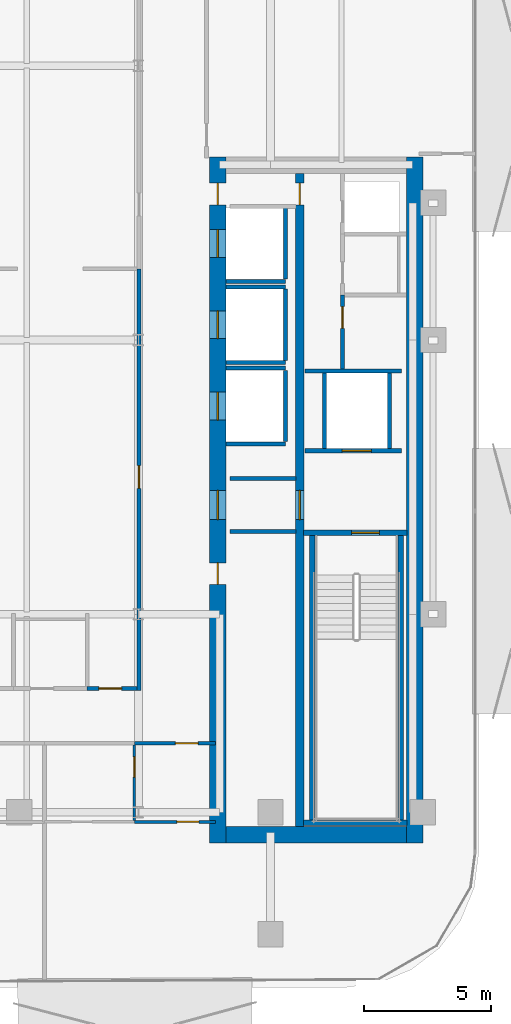
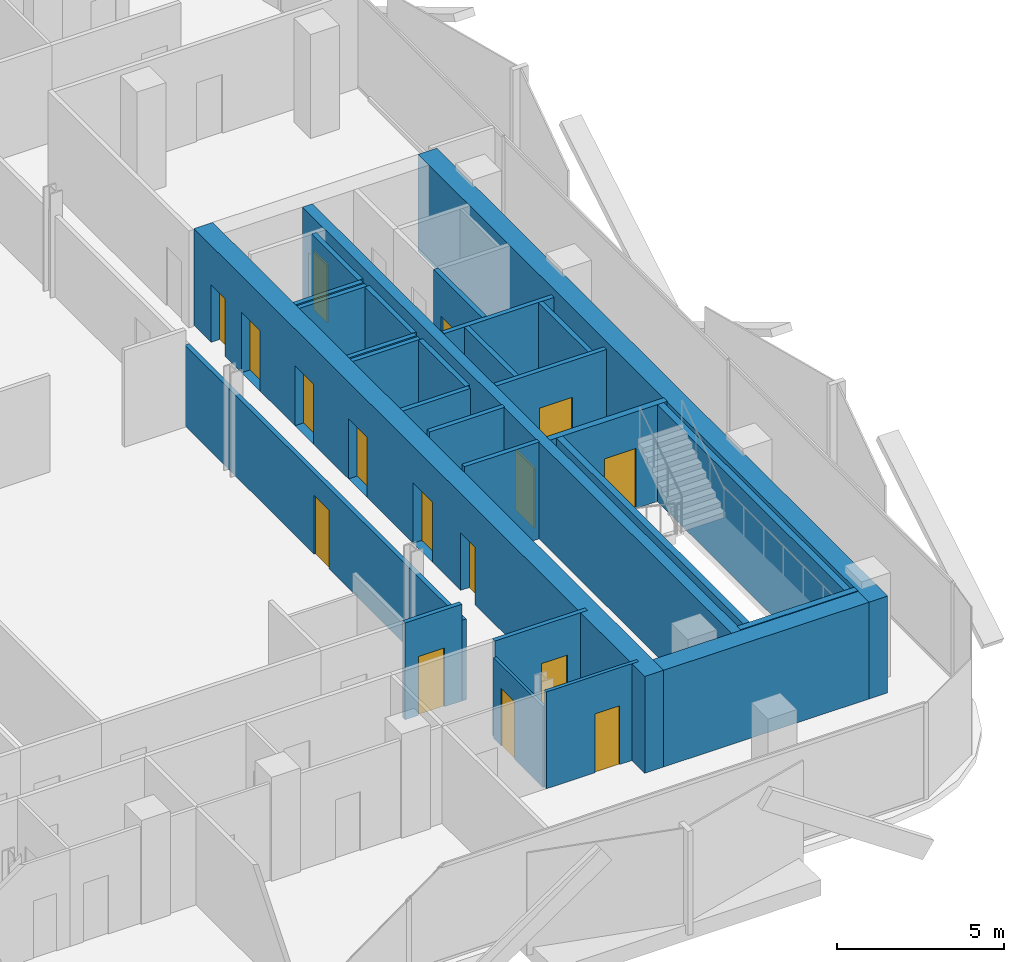
# One storey, part 5 of 17: 28 walls, 16 doors, 16 openings.
"""IFC4 building model written with IfcOpenShell, lengths in metres."""

from ifc_helpers import new_model, si_unit, direction, frame, frame_2d, origin, place, context, subcontext, project, spatial, rectangle, extrude, material, layer, layer_set, type_object, element, fill, save


model = new_model("IFC4")

# Units and contexts
model_context = context("Model", 3, precision=1e-05, world=origin(), true_north=direction((0.0, 1.0)))
body_context = subcontext(model_context, "Body", "Model", "MODEL_VIEW")
ifc_project = project(units=[si_unit("LENGTHUNIT", "METRE"), si_unit("AREAUNIT", "SQUARE_METRE"), si_unit("VOLUMEUNIT", "CUBIC_METRE"), si_unit("PLANEANGLEUNIT", "RADIAN"), si_unit("MASSUNIT", "GRAM", prefix="KILO")], contexts=[model_context])

# Site, building, storey
site_placement = place(None, origin())
site = spatial("IfcSite", under=ifc_project, at=site_placement, CompositionType="ELEMENT")
building_placement = place(site_placement, origin())
building = spatial("IfcBuilding", under=site, at=building_placement, Name="Khairoan Windgate Tower", CompositionType="ELEMENT")
storey_placement = place(building_placement, frame((0.0, 0.0, 195.39990234375)))
storey = spatial("IfcBuildingStorey", under=building, at=storey_placement, Name="L45", CompositionType="ELEMENT", Elevation=195.39990234375)

# Wall, opening, door
ifc_material_1 = material(Name="Moisture-Resistant Gypsum Partition", Category="gypsum")
ifc_layer_1 = layer(ifc_material_1, 0.10009765625, Name="Moisture-Resistant Gypsum Partition")
ifc_layer_set_1 = layer_set([ifc_layer_1], Name="Moisture-Resistant Gypsum Partition")
wall_type_1 = type_object("IfcWallType", Name="Bathroom Wet-Area Partition Wall", PredefinedType="PARTITIONING", material=ifc_layer_set_1)
wall_1_placement = place(storey_placement, frame((9.0400390625, -18.919921875, 0.0), z_axis=(0.0, 0.0, 1.0), x_axis=(0.0, 1.0, 0.0)))
wall_1 = element("IfcWall", 1, at=wall_1_placement, inside=storey, type_object=wall_type_1, Name="L45 Interior Partition 093", PredefinedType="PARTITIONING", context=body_context, shape_type="SweptSolid", body=[
    extrude(rectangle(XDim=2.96484375, YDim=0.10009765625, at=frame_2d((1.482421875, 0.0))), origin(), (0.0, 0.0, 1.0), 2.9521484375),
])
opening_1_placement = place(wall_1_placement, frame((1.705078125, 0.0, 0.0)))
opening_1 = element("IfcOpeningElement", 2, at=opening_1_placement, cuts=wall_1, Name="Opening ID-BTH", PredefinedType="OPENING", context=body_context, shape_type="SweptSolid", body=[
    extrude(rectangle(XDim=0.800048828125, YDim=2.10009765625, at=frame_2d((0.39990234375, 1.050048828125))), frame((0.0, 0.06005859375, 0.0), z_axis=(0.0, -1.0, 0.0), x_axis=(1.0, 0.0, 0.0)), (0.0, 0.0, 1.0), 0.1201171875),
])
ifc_material_2 = material(Name="Teak Veneer Timber Leaf", Category="wood")
door_type_1 = type_object("IfcDoorType", Name="Internal Bathroom Door ID-BTH 800x2100", OperationType="NOTDEFINED", PredefinedType="DOOR", material=ifc_material_2)
door_1_placement = place(opening_1_placement, origin())
door_1 = element("IfcDoor", 3, at=door_1_placement, inside=storey, type_object=door_type_1, Name="L45 L45-63-L45-64 Door", OperationType="SINGLE_SWING_LEFT", OverallHeight=2.10009765625, OverallWidth=0.800048828125, PredefinedType="DOOR", context=body_context, shape_type="SweptSolid", body=[
    extrude(rectangle(XDim=0.800048828125, YDim=2.10009765625, at=frame_2d((0.39990234375, 1.050048828125))), frame((0.0, 0.02490234375, 0.0), z_axis=(0.0, -1.0, 0.0), x_axis=(1.0, 0.0, 0.0)), (0.0, 0.0, 1.0), 0.050048828125),
])
fill(opening_1, door_1)

# Walls
ifc_material_3 = material(Name="Concrete C40/50", Category="concrete")
ifc_layer_2 = layer(ifc_material_3, 0.159912109375, Name="Concrete C40/50")
ifc_layer_set_2 = layer_set([ifc_layer_2], Name="Concrete C40/50")
wall_type_2 = type_object("IfcWallType", Name="Core and Hoistway Enclosure Wall", PredefinedType="STANDARD", material=ifc_layer_set_2)
wall_2_placement = place(storey_placement, frame((12.64990234375, 2.31005859375, 0.0), z_axis=(0.0, 0.0, 1.0), x_axis=(1.0, 0.0, 0.0)))
element("IfcWall", 4, at=wall_2_placement, inside=storey, type_object=wall_type_2, Name="L45 Lift PL7 Hoistway Divider S", PredefinedType="STANDARD", context=body_context, shape_type="SweptSolid", body=[
    extrude(rectangle(XDim=2.340087890625, YDim=0.159912109375, at=frame_2d((1.169921875, 0.0))), origin(), (0.0, 0.0, 1.0), 3.5400390625),
])
wall_3_placement = place(storey_placement, frame((14.989990234375, 2.39990234375, 0.0), z_axis=(0.0, 0.0, 1.0), x_axis=(0.0, 1.0, 0.0)))
element("IfcWall", 5, at=wall_3_placement, inside=storey, type_object=wall_type_2, Name="L45 Lift PL7 Hoistway Back Wall", PredefinedType="STANDARD", context=body_context, shape_type="SweptSolid", body=[
    extrude(rectangle(XDim=2.800048828125, YDim=0.159912109375, at=frame_2d((1.39990234375, 0.0))), origin(), (0.0, 0.0, 1.0), 3.5400390625),
])
for number, where, z_axis, x_axis, name in (
    (6, (12.64990234375, -0.889892578125, 0.0), (0.0, 0.0, 1.0), (1.0, 0.0, 0.0), "L45 Lift PL8 Hoistway Divider S"),
    (7, (12.64990234375, 2.090087890625, 0.0), (0.0, 0.0, 1.0), (1.0, 0.0, 0.0), "L45 Lift PL8 Hoistway Divider N"),
):
    element("IfcWall", number, at=place(storey_placement, frame(where, z_axis=z_axis, x_axis=x_axis)), inside=storey, type_object=wall_type_2, Name=name, PredefinedType="STANDARD", context=body_context, shape_type="SweptSolid", body=[
        extrude(rectangle(XDim=2.340087890625, YDim=0.159912109375, at=frame_2d((1.169921875, 0.0))), origin(), (0.0, 0.0, 1.0), 3.5400390625),
    ])
wall_4_placement = place(storey_placement, frame((14.989990234375, -0.800048828125, 0.0), z_axis=(0.0, 0.0, 1.0), x_axis=(0.0, 1.0, 0.0)))
element("IfcWall", 8, at=wall_4_placement, inside=storey, type_object=wall_type_2, Name="L45 Lift PL8 Hoistway Back Wall", PredefinedType="STANDARD", context=body_context, shape_type="SweptSolid", body=[
    extrude(rectangle(XDim=2.800048828125, YDim=0.159912109375, at=frame_2d((1.39990234375, 0.0))), origin(), (0.0, 0.0, 1.0), 3.5400390625),
])
for number, where, z_axis, x_axis, name in (
    (9, (12.64990234375, -4.090087890625, 0.0), (0.0, 0.0, 1.0), (1.0, 0.0, 0.0), "L45 Lift PL9 Hoistway Divider S"),
    (10, (12.64990234375, -1.110107421875, 0.0), (0.0, 0.0, 1.0), (1.0, 0.0, 0.0), "L45 Lift PL9 Hoistway Divider N"),
):
    element("IfcWall", number, at=place(storey_placement, frame(where, z_axis=z_axis, x_axis=x_axis)), inside=storey, type_object=wall_type_2, Name=name, PredefinedType="STANDARD", context=body_context, shape_type="SweptSolid", body=[
        extrude(rectangle(XDim=2.340087890625, YDim=0.159912109375, at=frame_2d((1.169921875, 0.0))), origin(), (0.0, 0.0, 1.0), 3.5400390625),
    ])
wall_5_placement = place(storey_placement, frame((14.989990234375, -4.0, 0.0), z_axis=(0.0, 0.0, 1.0), x_axis=(0.0, 1.0, 0.0)))
element("IfcWall", 11, at=wall_5_placement, inside=storey, type_object=wall_type_2, Name="L45 Lift PL9 Hoistway Back Wall", PredefinedType="STANDARD", context=body_context, shape_type="SweptSolid", body=[
    extrude(rectangle(XDim=2.800048828125, YDim=0.159912109375, at=frame_2d((1.39990234375, 0.0))), origin(), (0.0, 0.0, 1.0), 3.5400390625),
])

# Wall, opening, door
wall_6_placement = place(storey_placement, frame((15.75, -4.360107421875, 0.0), z_axis=(0.0, 0.0, 1.0), x_axis=(1.0, 0.0, 0.0)))
wall_6 = element("IfcWall", 12, at=wall_6_placement, inside=storey, type_object=wall_type_2, Name="L45 Core Shaft Wall SW-FL1-L45", PredefinedType="STANDARD", context=body_context, shape_type="SweptSolid", body=[
    extrude(rectangle(XDim=3.800048828125, YDim=0.159912109375, at=frame_2d((1.89990234375, 0.0))), origin(), (0.0, 0.0, 1.0), 3.5400390625),
])
opening_2_placement = place(wall_6_placement, frame((1.469970703125, 0.0, 0.0)))
opening_2 = element("IfcOpeningElement", 13, at=opening_2_placement, cuts=wall_6, Name="Opening LD-FL", PredefinedType="OPENING", context=body_context, shape_type="SweptSolid", body=[
    extrude(rectangle(XDim=1.14990234375, YDim=2.199951171875, at=frame_2d((0.574951171875, 1.10009765625))), frame((0.0, 0.08984375, 0.0), z_axis=(0.0, -1.0, 0.0), x_axis=(1.0, 0.0, 0.0)), (0.0, 0.0, 1.0), 0.179931640625),
])
ifc_material_4 = material(Name="Steel S355", Category="steel")
door_type_2 = type_object("IfcDoorType", Name="Firefighting Lift Sliding Landing Door LD-FL 1150x2200", OperationType="DOUBLE_DOOR_SLIDING", PredefinedType="DOOR", material=ifc_material_4)
door_2_placement = place(opening_2_placement, origin())
door_2 = element("IfcDoor", 14, at=door_2_placement, inside=storey, type_object=door_type_2, Name="L45 Firefighting Lift FL1 Landing Door", OperationType="DOUBLE_DOOR_SLIDING", OverallHeight=2.199951171875, OverallWidth=1.14990234375, PredefinedType="DOOR", context=body_context, shape_type="SweptSolid", body=[
    extrude(rectangle(XDim=1.14990234375, YDim=2.199951171875, at=frame_2d((0.574951171875, 1.10009765625))), frame((0.0, 0.02490234375, 0.0), z_axis=(0.0, -1.0, 0.0), x_axis=(1.0, 0.0, 0.0)), (0.0, 0.0, 1.0), 0.050048828125),
])
fill(opening_2, door_2)

# Walls
wall_7_placement = place(storey_placement, frame((15.75, -1.219970703125, 0.0), z_axis=(0.0, 0.0, 1.0), x_axis=(1.0, 0.0, 0.0)))
element("IfcWall", 15, at=wall_7_placement, inside=storey, type_object=wall_type_2, Name="L45 Core Shaft Wall SW-FL1T-L45", PredefinedType="STANDARD", context=body_context, shape_type="SweptSolid", body=[
    extrude(rectangle(XDim=3.800048828125, YDim=0.159912109375, at=frame_2d((1.89990234375, 0.0))), origin(), (0.0, 0.0, 1.0), 3.5400390625),
])
for number, where, z_axis, x_axis, name in (
    (16, (16.52001953125, -4.280029296875, 0.0), (0.0, 0.0, 1.0), (0.0, 1.0, 0.0), "L45 Core Shaft Wall SW-FL1W-L45"),
    (17, (19.080078125, -4.280029296875, 0.0), (0.0, 0.0, 1.0), (0.0, 1.0, 0.0), "L45 Core Shaft Wall SW-FL1E-L45"),
):
    element("IfcWall", number, at=place(storey_placement, frame(where, z_axis=z_axis, x_axis=x_axis)), inside=storey, type_object=wall_type_2, Name=name, PredefinedType="STANDARD", context=body_context, shape_type="SweptSolid", body=[
        extrude(rectangle(XDim=2.97998046875, YDim=0.159912109375, at=frame_2d((1.489990234375, 0.0))), origin(), (0.0, 0.0, 1.0), 3.5400390625),
    ])
for number, where, z_axis, x_axis, name in (
    (18, (12.800048828125, -5.449951171875, 0.0), (0.0, 0.0, 1.0), (1.0, 0.0, 0.0), "L45 Core Shaft Wall SW-EV1-L45"),
    (19, (12.800048828125, -7.5400390625, 0.0), (0.0, 0.0, 1.0), (1.0, 0.0, 0.0), "L45 Core Shaft Wall SW-EV2-L45"),
):
    element("IfcWall", number, at=place(storey_placement, frame(where, z_axis=z_axis, x_axis=x_axis)), inside=storey, type_object=wall_type_2, Name=name, PredefinedType="STANDARD", context=body_context, shape_type="SweptSolid", body=[
        extrude(rectangle(XDim=2.599853515625, YDim=0.159912109375, at=frame_2d((1.2998046875, 0.0))), origin(), (0.0, 0.0, 1.0), 3.5400390625),
    ])

# Wall, opening, door
ifc_material_5 = material(Name="Gypsum Stud Partition", Category="gypsum")
ifc_layer_3 = layer(ifc_material_5, 0.1201171875, Name="Gypsum Stud Partition")
ifc_layer_set_3 = layer_set([ifc_layer_3], Name="Gypsum Stud Partition")
wall_type_3 = type_object("IfcWallType", Name="Internal Room Partition Wall", PredefinedType="PARTITIONING", material=ifc_layer_set_3)
wall_8_placement = place(storey_placement, frame((9.0400390625, -18.969970703125, 0.0), z_axis=(0.0, 0.0, 1.0), x_axis=(1.0, 0.0, 0.0)))
wall_8 = element("IfcWall", 20, at=wall_8_placement, inside=storey, type_object=wall_type_3, Name="L45 Interior Partition 095", PredefinedType="PARTITIONING", context=body_context, shape_type="SweptSolid", body=[
    extrude(rectangle(XDim=3.199951171875, YDim=0.1201171875, at=frame_2d((1.60009765625, 0.0))), origin(), (0.0, 0.0, 1.0), 3.5400390625),
])
opening_3_placement = place(wall_8_placement, frame((1.677001953125, 0.0, 0.0)))
opening_3 = element("IfcOpeningElement", 21, at=opening_3_placement, cuts=wall_8, Name="Opening ID-RM", PredefinedType="OPENING", context=body_context, shape_type="SweptSolid", body=[
    extrude(rectangle(XDim=0.860107421875, YDim=2.14990234375, at=frame_2d((0.43017578125, 1.074951171875))), frame((0.0, 0.070068359375, 0.0), z_axis=(0.0, -1.0, 0.0), x_axis=(1.0, 0.0, 0.0)), (0.0, 0.0, 1.0), 0.14013671875),
])
ifc_material_6 = material(Name="Teak Veneer Timber Leaf", Category="wood")
door_type_3 = type_object("IfcDoorType", Name="Internal Bedroom and Office Door ID-RM 860x2150", OperationType="NOTDEFINED", PredefinedType="DOOR", material=ifc_material_6)
door_3_placement = place(opening_3_placement, origin())
door_3 = element("IfcDoor", 22, at=door_3_placement, inside=storey, type_object=door_type_3, Name="L45 L45-64-L45-65 Door", OperationType="SINGLE_SWING_LEFT", OverallHeight=2.14990234375, OverallWidth=0.860107421875, PredefinedType="DOOR", context=body_context, shape_type="SweptSolid", body=[
    extrude(rectangle(XDim=0.860107421875, YDim=2.14990234375, at=frame_2d((0.43017578125, 1.074951171875))), frame((0.0, 0.02490234375, 0.0), z_axis=(0.0, -1.0, 0.0), x_axis=(1.0, 0.0, 0.0)), (0.0, 0.0, 1.0), 0.050048828125),
])
fill(opening_3, door_3)

ifc_material_7 = material(Name="Concrete C40/50", Category="concrete")
ifc_layer_4 = layer(ifc_material_7, 0.159912109375, Name="Concrete C40/50")
ifc_layer_set_4 = layer_set([ifc_layer_4], Name="Concrete C40/50")
wall_type_4 = type_object("IfcWallType", Name="Plant and Refuge Compartment Wall", PredefinedType="PARTITIONING", material=ifc_layer_set_4)
wall_9_placement = place(storey_placement, frame((17.22998046875, -1.139892578125, 0.0), z_axis=(0.0, 0.0, 1.0), x_axis=(0.0, 1.0, 0.0)))
wall_9 = element("IfcWall", 23, at=wall_9_placement, inside=storey, type_object=wall_type_4, Name="L45 Interior Partition 009", PredefinedType="PARTITIONING", context=body_context, shape_type="SweptSolid", body=[
    extrude(rectangle(XDim=2.909912109375, YDim=0.159912109375, at=frame_2d((1.455078125, 0.0))), origin(), (0.0, 0.0, 1.0), 3.5400390625),
])
opening_4_placement = place(wall_9_placement, frame((1.60009765625, 0.0, 0.0)))
opening_4 = element("IfcOpeningElement", 24, at=opening_4_placement, cuts=wall_9, Name="Opening FD-SRV", PredefinedType="OPENING", context=body_context, shape_type="SweptSolid", body=[
    extrude(rectangle(XDim=0.85009765625, YDim=2.10009765625, at=frame_2d((0.425048828125, 1.050048828125))), frame((0.0, 0.08984375, 0.0), z_axis=(0.0, -1.0, 0.0), x_axis=(1.0, 0.0, 0.0)), (0.0, 0.0, 1.0), 0.179931640625),
])
ifc_material_8 = material(Name="Steel S355", Category="steel")
door_type_4 = type_object("IfcDoorType", Name="Core Service and Riser Fire Door FD-SRV 850x2100", OperationType="NOTDEFINED", PredefinedType="DOOR", material=ifc_material_8)
door_4_placement = place(opening_4_placement, origin())
door_4 = element("IfcDoor", 25, at=door_4_placement, inside=storey, type_object=door_type_4, Name="L45 L45-18-L45-21 Door", OperationType="SINGLE_SWING_RIGHT", OverallHeight=2.10009765625, OverallWidth=0.85009765625, PredefinedType="DOOR", context=body_context, shape_type="SweptSolid", body=[
    extrude(rectangle(XDim=0.85009765625, YDim=2.10009765625, at=frame_2d((0.425048828125, 1.050048828125))), frame((0.0, 0.02490234375, 0.0), z_axis=(0.0, -1.0, 0.0), x_axis=(1.0, 0.0, 0.0)), (0.0, 0.0, 1.0), 0.050048828125),
])
fill(opening_4, door_4)

ifc_material_9 = material(Name="Acoustic Fire-Rated Gypsum Partition", Category="gypsum")
ifc_layer_5 = layer(ifc_material_9, 0.14990234375, Name="Acoustic Fire-Rated Gypsum Partition")
ifc_layer_set_5 = layer_set([ifc_layer_5], Name="Acoustic Fire-Rated Gypsum Partition")
wall_type_5 = type_object("IfcWallType", Name="Rated Corridor Partition Wall", PredefinedType="PARTITIONING", material=ifc_layer_set_5)
wall_10_placement = place(storey_placement, frame((9.219970703125, -13.794921875, 0.0), z_axis=(0.0, 0.0, 1.0), x_axis=(0.0, 1.0, 0.0)))
wall_10 = element("IfcWall", 26, at=wall_10_placement, inside=storey, type_object=wall_type_5, Name="L45 Interior Partition 014", PredefinedType="PARTITIONING", context=body_context, shape_type="SweptSolid", body=[
    extrude(rectangle(XDim=16.594970703125, YDim=0.14990234375, at=frame_2d((8.29736328125, 0.0))), origin(), (0.0, 0.0, 1.0), 2.9521484375),
])
opening_5_placement = place(wall_10_placement, frame((7.94873046875, 0.0, 0.0)))
opening_5 = element("IfcOpeningElement", 27, at=opening_5_placement, cuts=wall_10, Name="Opening FD-ENT", PredefinedType="OPENING", context=body_context, shape_type="SweptSolid", body=[
    extrude(rectangle(XDim=0.89990234375, YDim=2.14990234375, at=frame_2d((0.449951171875, 1.074951171875))), frame((0.0, 0.0849609375, 0.0), z_axis=(0.0, -1.0, 0.0), x_axis=(1.0, 0.0, 0.0)), (0.0, 0.0, 1.0), 0.169921875),
])
ifc_material_10 = material(Name="Timber Fire-Rated Core", Category="wood")
door_type_5 = type_object("IfcDoorType", Name="Unit and Office Fire Entrance Door FD-ENT 900x2150", OperationType="NOTDEFINED", PredefinedType="DOOR", material=ifc_material_10)
door_5_placement = place(opening_5_placement, origin())
door_5 = element("IfcDoor", 28, at=door_5_placement, inside=storey, type_object=door_type_5, Name="L45 L45-29-L45-36 Door", OperationType="SINGLE_SWING_LEFT", OverallHeight=2.14990234375, OverallWidth=0.89990234375, PredefinedType="DOOR", context=body_context, shape_type="SweptSolid", body=[
    extrude(rectangle(XDim=0.89990234375, YDim=2.14990234375, at=frame_2d((0.449951171875, 1.074951171875))), frame((0.0, 0.02490234375, 0.0), z_axis=(0.0, -1.0, 0.0), x_axis=(1.0, 0.0, 0.0)), (0.0, 0.0, 1.0), 0.050048828125),
])
fill(opening_5, door_5)

wall_11_placement = place(storey_placement, frame((7.179931640625, -13.719970703125, 0.0), z_axis=(0.0, 0.0, 1.0), x_axis=(1.0, 0.0, 0.0)))
wall_11 = element("IfcWall", 29, at=wall_11_placement, inside=storey, type_object=wall_type_5, Name="L45 Interior Partition 035", PredefinedType="PARTITIONING", context=body_context, shape_type="SweptSolid", body=[
    extrude(rectangle(XDim=1.965087890625, YDim=0.14990234375, at=frame_2d((0.982421875, 0.0))), origin(), (0.0, 0.0, 1.0), 3.5400390625),
])
opening_6_placement = place(wall_11_placement, frame((0.4599609375, 0.0, 0.0)))
opening_6 = element("IfcOpeningElement", 30, at=opening_6_placement, cuts=wall_11, Name="Opening FD-ENT", PredefinedType="OPENING", context=body_context, shape_type="SweptSolid", body=[
    extrude(rectangle(XDim=0.89990234375, YDim=2.14990234375, at=frame_2d((0.449951171875, 1.074951171875))), frame((0.0, 0.0849609375, 0.0), z_axis=(0.0, -1.0, 0.0), x_axis=(1.0, 0.0, 0.0)), (0.0, 0.0, 1.0), 0.169921875),
])
door_6_placement = place(opening_6_placement, origin())
door_6 = element("IfcDoor", 31, at=door_6_placement, inside=storey, type_object=door_type_5, Name="L45 L45-31-L45-36 Door", OperationType="SINGLE_SWING_LEFT", OverallHeight=2.14990234375, OverallWidth=0.89990234375, PredefinedType="DOOR", context=body_context, shape_type="SweptSolid", body=[
    extrude(rectangle(XDim=0.89990234375, YDim=2.14990234375, at=frame_2d((0.449951171875, 1.074951171875))), frame((0.0, 0.02490234375, 0.0), z_axis=(0.0, -1.0, 0.0), x_axis=(1.0, 0.0, 0.0)), (0.0, 0.0, 1.0), 0.050048828125),
])
fill(opening_6, door_6)

wall_12_placement = place(storey_placement, frame((9.0400390625, -15.8798828125, 0.0), z_axis=(0.0, 0.0, 1.0), x_axis=(1.0, 0.0, 0.0)))
wall_12 = element("IfcWall", 32, at=wall_12_placement, inside=storey, type_object=wall_type_5, Name="L45 Interior Partition 043", PredefinedType="PARTITIONING", context=body_context, shape_type="SweptSolid", body=[
    extrude(rectangle(XDim=3.199951171875, YDim=0.14990234375, at=frame_2d((1.60009765625, 0.0))), origin(), (0.0, 0.0, 1.0), 3.5400390625),
])
opening_7_placement = place(wall_12_placement, frame((1.610107421875, 0.0, 0.0)))
opening_7 = element("IfcOpeningElement", 33, at=opening_7_placement, cuts=wall_12, Name="Opening FD-ENT", PredefinedType="OPENING", context=body_context, shape_type="SweptSolid", body=[
    extrude(rectangle(XDim=0.89990234375, YDim=2.14990234375, at=frame_2d((0.449951171875, 1.074951171875))), frame((0.0, 0.0849609375, 0.0), z_axis=(0.0, -1.0, 0.0), x_axis=(1.0, 0.0, 0.0)), (0.0, 0.0, 1.0), 0.169921875),
])
door_7_placement = place(opening_7_placement, origin())
door_7 = element("IfcDoor", 34, at=door_7_placement, inside=storey, type_object=door_type_5, Name="L45 L45-31-L45-64 Door", OperationType="SINGLE_SWING_LEFT", OverallHeight=2.14990234375, OverallWidth=0.89990234375, PredefinedType="DOOR", context=body_context, shape_type="SweptSolid", body=[
    extrude(rectangle(XDim=0.89990234375, YDim=2.14990234375, at=frame_2d((0.449951171875, 1.074951171875))), frame((0.0, 0.02490234375, 0.0), z_axis=(0.0, -1.0, 0.0), x_axis=(1.0, 0.0, 0.0)), (0.0, 0.0, 1.0), 0.050048828125),
])
fill(opening_7, door_7)

# Wall, openings, doors
ifc_material_11 = material(Name="Concrete C60/75", Category="concrete")
ifc_layer_6 = layer(ifc_material_11, 0.64990234375, Name="Concrete C60/75")
ifc_layer_set_6 = layer_set([ifc_layer_6], Name="Concrete C60/75")
wall_type_6 = type_object("IfcWallType", Name="Shear Wall CW-E2 650mm", PredefinedType="SHEAR", material=ifc_layer_set_6)
wall_13_placement = place(storey_placement, frame((12.324951171875, -19.800048828125, 0.0), z_axis=(0.0, 0.0, 1.0), x_axis=(0.0, 1.0, 0.0)))
wall_13 = element("IfcWall", 35, at=wall_13_placement, inside=storey, type_object=wall_type_6, Name="E Core West Shear Wall L45", PredefinedType="SHEAR", context=body_context, shape_type="SweptSolid", body=[
    extrude(rectangle(XDim=27.0, YDim=0.64990234375, at=frame_2d((13.5, 0.0))), origin(), (0.0, 0.0, 1.0), 3.5400390625),
])
opening_8_placement = place(wall_13_placement, frame((23.050048828125, 0.0, 0.0)))
opening_8 = element("IfcOpeningElement", 36, at=opening_8_placement, cuts=wall_13, Name="Opening LD-PL", PredefinedType="OPENING", context=body_context, shape_type="SweptSolid", body=[
    extrude(rectangle(XDim=1.10009765625, YDim=2.199951171875, at=frame_2d((0.550048828125, 1.10009765625))), frame((0.0, 0.3349609375, 0.0), z_axis=(0.0, -1.0, 0.0), x_axis=(1.0, 0.0, 0.0)), (0.0, 0.0, 1.0), 0.669921875),
])
opening_9_placement = place(wall_13_placement, frame((19.85009765625, 0.0, 0.0)))
opening_9 = element("IfcOpeningElement", 37, at=opening_9_placement, cuts=wall_13, Name="Opening LD-PL", PredefinedType="OPENING", context=body_context, shape_type="SweptSolid", body=[
    extrude(rectangle(XDim=1.10009765625, YDim=2.199951171875, at=frame_2d((0.550048828125, 1.10009765625))), frame((0.0, 0.3349609375, 0.0), z_axis=(0.0, -1.0, 0.0), x_axis=(1.0, 0.0, 0.0)), (0.0, 0.0, 1.0), 0.669921875),
])
opening_10_placement = place(wall_13_placement, frame((16.64990234375, 0.0, 0.0)))
opening_10 = element("IfcOpeningElement", 38, at=opening_10_placement, cuts=wall_13, Name="Opening LD-PL", PredefinedType="OPENING", context=body_context, shape_type="SweptSolid", body=[
    extrude(rectangle(XDim=1.10009765625, YDim=2.199951171875, at=frame_2d((0.550048828125, 1.10009765625))), frame((0.0, 0.3349609375, 0.0), z_axis=(0.0, -1.0, 0.0), x_axis=(1.0, 0.0, 0.0)), (0.0, 0.0, 1.0), 0.669921875),
])
opening_11_placement = place(wall_13_placement, frame((10.175048828125, 0.0, 0.0)))
opening_11 = element("IfcOpeningElement", 39, at=opening_11_placement, cuts=wall_13, Name="Opening FD-SRV", PredefinedType="OPENING", context=body_context, shape_type="SweptSolid", body=[
    extrude(rectangle(XDim=0.85009765625, YDim=2.10009765625, at=frame_2d((0.425048828125, 1.050048828125))), frame((0.0, 0.3349609375, 0.0), z_axis=(0.0, -1.0, 0.0), x_axis=(1.0, 0.0, 0.0)), (0.0, 0.0, 1.0), 0.669921875),
])
opening_12_placement = place(wall_13_placement, frame((12.72509765625, 0.0, 0.0)))
opening_12 = element("IfcOpeningElement", 40, at=opening_12_placement, cuts=wall_13, Name="Opening FD-FFL", PredefinedType="OPENING", context=body_context, shape_type="SweptSolid", body=[
    extrude(rectangle(XDim=1.14990234375, YDim=2.199951171875, at=frame_2d((0.574951171875, 1.10009765625))), frame((0.0, 0.3349609375, 0.0), z_axis=(0.0, -1.0, 0.0), x_axis=(1.0, 0.0, 0.0)), (0.0, 0.0, 1.0), 0.669921875),
])
opening_13_placement = place(wall_13_placement, frame((25.125, 0.0, 0.0)))
opening_13 = element("IfcOpeningElement", 41, at=opening_13_placement, cuts=wall_13, Name="Opening FD-SRV", PredefinedType="OPENING", context=body_context, shape_type="SweptSolid", body=[
    extrude(rectangle(XDim=0.85009765625, YDim=2.10009765625, at=frame_2d((0.425048828125, 1.050048828125))), frame((0.0, 0.3349609375, 0.0), z_axis=(0.0, -1.0, 0.0), x_axis=(1.0, 0.0, 0.0)), (0.0, 0.0, 1.0), 0.669921875),
])
door_8_placement = place(opening_11_placement, origin())
door_8 = element("IfcDoor", 42, at=door_8_placement, inside=storey, type_object=door_type_4, Name="L45 East Core Service Room Door 1", OperationType="SINGLE_SWING_RIGHT", OverallHeight=2.10009765625, OverallWidth=0.85009765625, PredefinedType="DOOR", context=body_context, shape_type="SweptSolid", body=[
    extrude(rectangle(XDim=0.85009765625, YDim=2.10009765625, at=frame_2d((0.425048828125, 1.050048828125))), frame((0.0, 0.02490234375, 0.0), z_axis=(0.0, -1.0, 0.0), x_axis=(1.0, 0.0, 0.0)), (0.0, 0.0, 1.0), 0.050048828125),
])
fill(opening_11, door_8)
door_9_placement = place(opening_13_placement, origin())
door_9 = element("IfcDoor", 43, at=door_9_placement, inside=storey, type_object=door_type_4, Name="L45 East Core Service Vestibule Outer Door", OperationType="SINGLE_SWING_LEFT", OverallHeight=2.10009765625, OverallWidth=0.85009765625, PredefinedType="DOOR", context=body_context, shape_type="SweptSolid", body=[
    extrude(rectangle(XDim=0.85009765625, YDim=2.10009765625, at=frame_2d((0.425048828125, 1.050048828125))), frame((0.0, 0.02490234375, 0.0), z_axis=(0.0, -1.0, 0.0), x_axis=(1.0, 0.0, 0.0)), (0.0, 0.0, 1.0), 0.050048828125),
])
fill(opening_13, door_9)
ifc_material_12 = material(Name="Steel S355", Category="steel")
door_type_6 = type_object("IfcDoorType", Name="Firefighting Lobby Fire Door FD-FFL 1150x2200", OperationType="NOTDEFINED", PredefinedType="DOOR", material=ifc_material_12)
door_10_placement = place(opening_12_placement, origin())
door_10 = element("IfcDoor", 44, at=door_10_placement, inside=storey, type_object=door_type_6, Name="L45 East Core Vestibule Entry Door", OperationType="SINGLE_SWING_LEFT", OverallHeight=2.199951171875, OverallWidth=1.14990234375, PredefinedType="DOOR", context=body_context, shape_type="SweptSolid", body=[
    extrude(rectangle(XDim=1.14990234375, YDim=2.199951171875, at=frame_2d((0.574951171875, 1.10009765625))), frame((0.0, 0.02490234375, 0.0), z_axis=(0.0, -1.0, 0.0), x_axis=(1.0, 0.0, 0.0)), (0.0, 0.0, 1.0), 0.050048828125),
])
fill(opening_12, door_10)
ifc_material_13 = material(Name="Anodised Bronze Aluminium 6063-T6", Category="aluminium")
door_type_7 = type_object("IfcDoorType", Name="Passenger Lift Sliding Landing Door LD-PL 1100x2200", OperationType="DOUBLE_DOOR_SLIDING", PredefinedType="DOOR", material=ifc_material_13)
door_11_placement = place(opening_8_placement, origin())
door_11 = element("IfcDoor", 45, at=door_11_placement, inside=storey, type_object=door_type_7, Name="L45 Lift PL7 Sliding Landing Door", OperationType="DOUBLE_DOOR_SLIDING", OverallHeight=2.199951171875, OverallWidth=1.10009765625, PredefinedType="DOOR", context=body_context, shape_type="SweptSolid", body=[
    extrude(rectangle(XDim=1.10009765625, YDim=2.199951171875, at=frame_2d((0.550048828125, 1.10009765625))), frame((0.0, 0.02490234375, 0.0), z_axis=(0.0, -1.0, 0.0), x_axis=(1.0, 0.0, 0.0)), (0.0, 0.0, 1.0), 0.050048828125),
])
fill(opening_8, door_11)
door_12_placement = place(opening_9_placement, origin())
door_12 = element("IfcDoor", 46, at=door_12_placement, inside=storey, type_object=door_type_7, Name="L45 Lift PL8 Sliding Landing Door", OperationType="DOUBLE_DOOR_SLIDING", OverallHeight=2.199951171875, OverallWidth=1.10009765625, PredefinedType="DOOR", context=body_context, shape_type="SweptSolid", body=[
    extrude(rectangle(XDim=1.10009765625, YDim=2.199951171875, at=frame_2d((0.550048828125, 1.10009765625))), frame((0.0, 0.02490234375, 0.0), z_axis=(0.0, -1.0, 0.0), x_axis=(1.0, 0.0, 0.0)), (0.0, 0.0, 1.0), 0.050048828125),
])
fill(opening_9, door_12)
door_13_placement = place(opening_10_placement, origin())
door_13 = element("IfcDoor", 47, at=door_13_placement, inside=storey, type_object=door_type_7, Name="L45 Lift PL9 Sliding Landing Door", OperationType="DOUBLE_DOOR_SLIDING", OverallHeight=2.199951171875, OverallWidth=1.10009765625, PredefinedType="DOOR", context=body_context, shape_type="SweptSolid", body=[
    extrude(rectangle(XDim=1.10009765625, YDim=2.199951171875, at=frame_2d((0.550048828125, 1.10009765625))), frame((0.0, 0.02490234375, 0.0), z_axis=(0.0, -1.0, 0.0), x_axis=(1.0, 0.0, 0.0)), (0.0, 0.0, 1.0), 0.050048828125),
])
fill(opening_10, door_13)

# Walls
wall_14_placement = place(storey_placement, frame((20.074951171875, -19.800048828125, 0.0), z_axis=(0.0, 0.0, 1.0), x_axis=(0.0, 1.0, 0.0)))
element("IfcWall", 48, at=wall_14_placement, inside=storey, type_object=wall_type_6, Name="E Core East Shear Wall L45", PredefinedType="SHEAR", context=body_context, shape_type="SweptSolid", body=[
    extrude(rectangle(XDim=27.0, YDim=0.64990234375, at=frame_2d((13.5, 0.0))), origin(), (0.0, 0.0, 1.0), 3.5400390625),
])
wall_15_placement = place(storey_placement, frame((12.64990234375, -19.47509765625, 0.0), z_axis=(0.0, 0.0, 1.0), x_axis=(1.0, 0.0, 0.0)))
element("IfcWall", 49, at=wall_15_placement, inside=storey, type_object=wall_type_6, Name="E Core South Shear Wall L45", PredefinedType="SHEAR", context=body_context, shape_type="SweptSolid", body=[
    extrude(rectangle(XDim=7.10009765625, YDim=0.64990234375, at=frame_2d((3.550048828125, 0.0))), origin(), (0.0, 0.0, 1.0), 3.5400390625),
])

# Wall, openings, doors
ifc_material_14 = material(Name="Concrete C60/75", Category="concrete")
ifc_layer_7 = layer(ifc_material_14, 0.35009765625, Name="Concrete C60/75")
ifc_layer_set_7 = layer_set([ifc_layer_7], Name="Concrete C60/75")
wall_type_7 = type_object("IfcWallType", Name="Shear Wall SW-1 350mm", PredefinedType="SHEAR", material=ifc_layer_set_7)
wall_16_placement = place(storey_placement, frame((15.550048828125, -19.14990234375, 0.0), z_axis=(0.0, 0.0, 1.0), x_axis=(0.0, 1.0, 0.0)))
wall_16 = element("IfcWall", 50, at=wall_16_placement, inside=storey, type_object=wall_type_7, Name="E Core Spine Shear Wall L45", PredefinedType="SHEAR", context=body_context, shape_type="SweptSolid", body=[
    extrude(rectangle(XDim=25.699951171875, YDim=0.35009765625, at=frame_2d((12.85009765625, 0.0))), origin(), (0.0, 0.0, 1.0), 3.5400390625),
])
opening_14_placement = place(wall_16_placement, frame((12.074951171875, 0.0, 0.0)))
opening_14 = element("IfcOpeningElement", 51, at=opening_14_placement, cuts=wall_16, Name="Opening FD-FFL", PredefinedType="OPENING", context=body_context, shape_type="SweptSolid", body=[
    extrude(rectangle(XDim=1.14990234375, YDim=2.199951171875, at=frame_2d((0.574951171875, 1.10009765625))), frame((0.0, 0.18505859375, 0.0), z_axis=(0.0, -1.0, 0.0), x_axis=(1.0, 0.0, 0.0)), (0.0, 0.0, 1.0), 0.3701171875),
])
opening_15_placement = place(wall_16_placement, frame((24.47509765625, 0.0, 0.0)))
opening_15 = element("IfcOpeningElement", 52, at=opening_15_placement, cuts=wall_16, Name="Opening FD-SRV", PredefinedType="OPENING", context=body_context, shape_type="SweptSolid", body=[
    extrude(rectangle(XDim=0.85009765625, YDim=2.10009765625, at=frame_2d((0.425048828125, 1.050048828125))), frame((0.0, 0.18505859375, 0.0), z_axis=(0.0, -1.0, 0.0), x_axis=(1.0, 0.0, 0.0)), (0.0, 0.0, 1.0), 0.3701171875),
])
door_14_placement = place(opening_15_placement, origin())
door_14 = element("IfcDoor", 53, at=door_14_placement, inside=storey, type_object=door_type_4, Name="L45 East Core Service Passage Inner Door", OperationType="SINGLE_SWING_RIGHT", OverallHeight=2.10009765625, OverallWidth=0.85009765625, PredefinedType="DOOR", context=body_context, shape_type="SweptSolid", body=[
    extrude(rectangle(XDim=0.85009765625, YDim=2.10009765625, at=frame_2d((0.425048828125, 1.050048828125))), frame((0.0, 0.02490234375, 0.0), z_axis=(0.0, -1.0, 0.0), x_axis=(1.0, 0.0, 0.0)), (0.0, 0.0, 1.0), 0.050048828125),
])
fill(opening_15, door_14)
door_15_placement = place(opening_14_placement, origin())
door_15 = element("IfcDoor", 54, at=door_15_placement, inside=storey, type_object=door_type_6, Name="L45 East Firefighting Lobby Fire Door", OperationType="SINGLE_SWING_RIGHT", OverallHeight=2.199951171875, OverallWidth=1.14990234375, PredefinedType="DOOR", context=body_context, shape_type="SweptSolid", body=[
    extrude(rectangle(XDim=1.14990234375, YDim=2.199951171875, at=frame_2d((0.574951171875, 1.10009765625))), frame((0.0, 0.02490234375, 0.0), z_axis=(0.0, -1.0, 0.0), x_axis=(1.0, 0.0, 0.0)), (0.0, 0.0, 1.0), 0.050048828125),
])
fill(opening_14, door_15)

# Walls
ifc_material_15 = material(Name="Concrete C50/60", Category="concrete")
ifc_layer_8 = layer(ifc_material_15, 0.219970703125, Name="Concrete C50/60")
ifc_layer_set_8 = layer_set([ifc_layer_8], Name="Concrete C50/60")
wall_type_8 = type_object("IfcWallType", Name="Shear Wall SW-ST 220mm", PredefinedType="SHEAR", material=ifc_layer_set_8)
for number, where, z_axis, x_axis, name in (
    (55, (16.0400390625, -19.010009765625, 0.0), (0.0, 0.0, 1.0), (0.0, 1.0, 0.0), "L45 Stair ST1 West Bearing Wall"),
    (56, (19.530029296875, -19.010009765625, 0.0), (0.0, 0.0, 1.0), (0.0, 1.0, 0.0), "L45 Stair ST1 East Bearing Wall"),
):
    element("IfcWall", number, at=place(storey_placement, frame(where, z_axis=z_axis, x_axis=x_axis)), inside=storey, type_object=wall_type_8, Name=name, PredefinedType="SHEAR", context=body_context, shape_type="SweptSolid", body=[
        extrude(rectangle(XDim=11.419921875, YDim=0.219970703125, at=frame_2d((5.7099609375, 0.0))), origin(), (0.0, 0.0, 1.0), 3.5400390625),
    ])
wall_17_placement = place(storey_placement, frame((15.705078125, -19.010009765625, 0.0), z_axis=(0.0, 0.0, 1.0), x_axis=(1.0, 0.0, 0.0)))
element("IfcWall", 57, at=wall_17_placement, inside=storey, type_object=wall_type_8, Name="L45 Stair ST1 South Bearing Wall", PredefinedType="SHEAR", context=body_context, shape_type="SweptSolid", body=[
    extrude(rectangle(XDim=4.06494140625, YDim=0.219970703125, at=frame_2d((2.032470703125, 0.0))), origin(), (0.0, 0.0, 1.0), 3.5400390625),
])

# Wall, opening, door
wall_18_placement = place(storey_placement, frame((19.77001953125, -7.590087890625, 0.0), z_axis=(0.0, 0.0, 1.0), x_axis=(-1.0, 0.0, 0.0)))
wall_18 = element("IfcWall", 58, at=wall_18_placement, inside=storey, type_object=wall_type_8, Name="L45 Stair ST1 North Bearing Wall", PredefinedType="SHEAR", context=body_context, shape_type="SweptSolid", body=[
    extrude(rectangle(XDim=4.06494140625, YDim=0.219970703125, at=frame_2d((2.032470703125, 0.0))), origin(), (0.0, 0.0, 1.0), 3.5400390625),
])
opening_16_placement = place(wall_18_placement, frame((1.080078125, 0.0, 0.0)))
opening_16 = element("IfcOpeningElement", 59, at=opening_16_placement, cuts=wall_18, Name="Opening FD-ST", PredefinedType="OPENING", context=body_context, shape_type="SweptSolid", body=[
    extrude(rectangle(XDim=1.10009765625, YDim=2.199951171875, at=frame_2d((0.550048828125, 1.10009765625))), frame((0.0, 0.119873046875, 0.0), z_axis=(0.0, -1.0, 0.0), x_axis=(1.0, 0.0, 0.0)), (0.0, 0.0, 1.0), 0.239990234375),
])
ifc_material_16 = material(Name="Steel S355", Category="steel")
door_type_8 = type_object("IfcDoorType", Name="Smokeproof Stair Fire Door FD-ST 1100x2200", OperationType="NOTDEFINED", PredefinedType="DOOR", material=ifc_material_16)
door_16_placement = place(opening_16_placement, origin())
door_16 = element("IfcDoor", 60, at=door_16_placement, inside=storey, type_object=door_type_8, Name="L45 Stair ST1 Fire Door", OperationType="SINGLE_SWING_RIGHT", OverallHeight=2.199951171875, OverallWidth=1.10009765625, PredefinedType="DOOR", context=body_context, shape_type="SweptSolid", body=[
    extrude(rectangle(XDim=1.10009765625, YDim=2.199951171875, at=frame_2d((0.550048828125, 1.10009765625))), frame((0.0, 0.02490234375, 0.0), z_axis=(0.0, -1.0, 0.0), x_axis=(1.0, 0.0, 0.0)), (0.0, 0.0, 1.0), 0.050048828125),
])
fill(opening_16, door_16)

save(model, "model.ifc")
